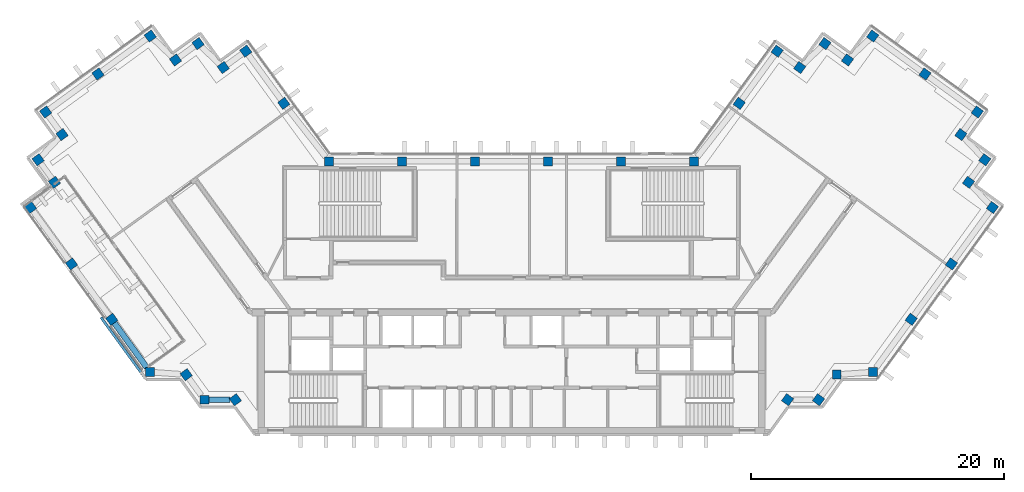
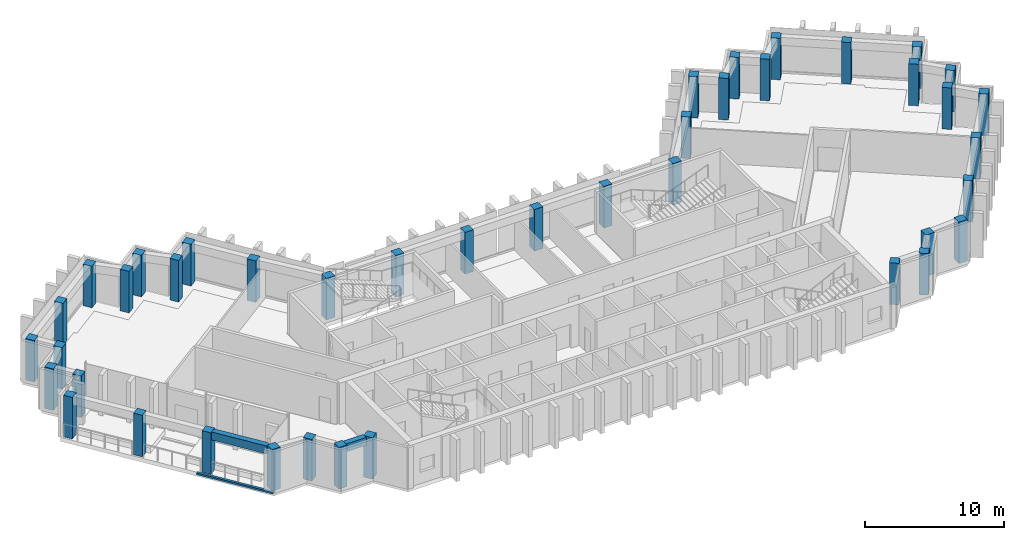
"""IFC4 building model written with IfcOpenShell, lengths in metres."""

from ifc_helpers import new_model, si_unit, direction, frame, origin, origin_2d, place, context, subcontext, project, spatial, rectangle, extrude, material, material_profile, profile_set, type_object, element, aggregate, save


model = new_model("IFC4")

# Units and contexts
model_context = context("Model", 3, precision=1e-05, world=origin(), true_north=direction((0.0, 1.0)))
body_context = subcontext(model_context, "Body", "Model", "MODEL_VIEW")
ifc_project = project(units=[si_unit("LENGTHUNIT", "METRE"), si_unit("AREAUNIT", "SQUARE_METRE"), si_unit("VOLUMEUNIT", "CUBIC_METRE"), si_unit("PLANEANGLEUNIT", "RADIAN"), si_unit("MASSUNIT", "GRAM", prefix="KILO")], contexts=[model_context])

# Site, building, storey
site_placement = place(None, origin())
site = spatial("IfcSite", under=ifc_project, at=site_placement, CompositionType="ELEMENT")
building_placement = place(site_placement, origin())
building = spatial("IfcBuilding", under=site, at=building_placement, Name="Quipu Civic Tower", CompositionType="ELEMENT")
storey_1_placement = place(building_placement, frame((0.0, 0.0, 261.0)))
storey_1 = spatial("IfcBuildingStorey", under=building, at=storey_1_placement, Name="L61", CompositionType="ELEMENT", Elevation=261.0)

# Columns
ifc_material_1 = material(Name="Concrete C50/60", Category="concrete")
ifc_material_profile_1 = material_profile(ifc_material_1, rectangle(XDim=0.699951171875, YDim=0.699951171875, at=origin_2d()), Name="RC700x700")
ifc_profile_set_1 = profile_set([ifc_material_profile_1], Name="Concrete C50/60")
column_type = type_object("IfcColumnType", Name="Perimeter column RC 700x700 C50/60", PredefinedType="COLUMN", material=ifc_profile_set_1)
for number, where, z_axis, x_axis, name in (
    (1, (-17.9736328125, 15.074951171875, 0.0), (0.0, 0.0, 1.0), (-0.587785252292, 0.809016994375, 0.0), "Column L61 W-IN-01"),
    (2, (-20.969970703125, 19.195068359375, 0.0), (0.0, 0.0, 1.0), (-0.587785252292, 0.809016994375, 0.0), "Column L61 T-Wi.0-W22"),
    (3, (-22.749267578125, 17.904296875, 0.0), (0.0, 0.0, 1.0), (-0.587785252292, 0.809016994375, 0.0), "Column L61 T-Wi.1-W22"),
    (4, (-24.739990234375, 19.794921875, 0.0), (0.0, 0.0, 1.0), (-0.587785252292, 0.809016994375, 0.0), "Column L61 T-Wi.2-W22"),
    (5, (-26.51904296875, 18.50048828125, 0.0), (0.0, 0.0, 1.0), (-0.587785252292, 0.809016994375, 0.0), "Column L61 T-Wi.3-W22"),
    (6, (-28.510009765625, 20.389892578125, 0.0), (0.0, 0.0, 1.0), (-0.809016994375, -0.587785252292, 0.0), "Column L61 T-Wi.4-W22"),
    (7, (-32.636962890625, 17.39306640625, 0.0), (0.0, 0.0, 1.0), (-0.809016994375, -0.587785252292, 0.0), "Column L61 TIP-W-01-W22"),
    (8, (-36.764892578125, 14.39501953125, 0.0), (0.0, 0.0, 1.0), (0.587785252292, -0.809016994375, 0.0), "Column L61 T-Wo.0-W22"),
    (9, (-35.470703125, 12.616455078125, 0.0), (0.0, 0.0, 1.0), (-0.809016994375, -0.587785252292, 0.0), "Column L61 T-Wo.1-W22"),
    (10, (-37.360107421875, 10.625, 0.0), (0.0, 0.0, 1.0), (0.587785252292, -0.809016994375, 0.0), "Column L61 T-Wo.2-W22"),
    (11, (-36.068115234375, 8.843994140625, 0.0), (0.0, 0.0, 1.0), (0.587785252292, -0.809016994375, 0.0), "Column L61 T-Wo.3-W22"),
    (12, (-37.9599609375, 6.85498046875, 0.0), (0.0, 0.0, 1.0), (0.587785252292, -0.809016994375, 0.0), "Column L61 T-Wo.4-W22"),
    (13, (-34.722412109375, 2.39990234375, 0.0), (0.0, 0.0, 1.0), (0.587785252292, -0.809016994375, 0.0), "Column L61 W-OUT-02"),
    (14, (-31.54833984375, -1.96875, 0.0), (0.0, 0.0, 1.0), (0.587785252292, -0.809016994375, 0.0), "Column L61 W-OUT-01"),
    (15, (-28.52490234375, -6.1298828125, 0.0), (0.0, 0.0, 1.0), (1.0, 0.0, 0.0), "Column L61 J-Wo.0"),
    (16, (-25.67431640625, -6.3369140625, 0.0), (0.0, 0.0, 1.0), (0.587785252292, -0.809016994375, 0.0), "Column L61 J-Wo.1"),
    (17, (-24.235107421875, -8.31494140625, 0.0), (0.0, 0.0, 1.0), (1.0, 0.0, 0.0), "Column L61 J-Wo.2"),
    (18, (-21.791748046875, -8.31494140625, 0.0), (0.0, 0.0, 1.0), (0.587785252292, -0.809016994375, 0.0), "Column L61 J-Wo.3"),
    (19, (21.791748046875, -8.31494140625, 0.0), (0.0, 0.0, 1.0), (0.587785252292, 0.809016994375, 0.0), "Column L61 J-Eo.1"),
    (20, (24.235107421875, -8.31494140625, 0.0), (0.0, 0.0, 1.0), (0.587785252292, 0.809016994375, 0.0), "Column L61 J-Eo.2"),
    (21, (25.67431640625, -6.3369140625, 0.0), (0.0, 0.0, 1.0), (1.0, 0.0, 0.0), "Column L61 J-Eo.3"),
    (22, (28.52490234375, -6.1298828125, 0.0), (0.0, 0.0, 1.0), (1.0, 0.0, 0.0), "Column L61 J-Eo.4"),
    (23, (31.54833984375, -1.96875, 0.0), (0.0, 0.0, 1.0), (0.587785252292, 0.809016994375, 0.0), "Column L61 E-OUT-01"),
    (24, (34.722412109375, 2.39990234375, 0.0), (0.0, 0.0, 1.0), (0.587785252292, 0.809016994375, 0.0), "Column L61 E-OUT-02"),
    (25, (37.9599609375, 6.85498046875, 0.0), (0.0, 0.0, 1.0), (0.587785252292, 0.809016994375, 0.0), "Column L61 T-Eo.0-E22"),
    (26, (36.068115234375, 8.843994140625, 0.0), (0.0, 0.0, 1.0), (0.587785252292, 0.809016994375, 0.0), "Column L61 T-Eo.1-E22"),
    (27, (37.360107421875, 10.625, 0.0), (0.0, 0.0, 1.0), (0.587785252292, 0.809016994375, 0.0), "Column L61 T-Eo.2-E22"),
    (28, (35.470703125, 12.616455078125, 0.0), (0.0, 0.0, 1.0), (-0.809016994375, 0.587785252292, 0.0), "Column L61 T-Eo.3-E22"),
    (29, (36.764892578125, 14.39501953125, 0.0), (0.0, 0.0, 1.0), (-0.809016994375, 0.587785252292, 0.0), "Column L61 T-Eo.4-E22"),
    (30, (32.636962890625, 17.39306640625, 0.0), (0.0, 0.0, 1.0), (-0.809016994375, 0.587785252292, 0.0), "Column L61 TIP-E-01-E22"),
    (31, (28.510009765625, 20.389892578125, 0.0), (0.0, 0.0, 1.0), (-0.587785252292, -0.809016994375, 0.0), "Column L61 T-Ei.0-E22"),
    (32, (26.51904296875, 18.50048828125, 0.0), (0.0, 0.0, 1.0), (-0.809016994375, 0.587785252292, 0.0), "Column L61 T-Ei.1-E22"),
    (33, (24.739990234375, 19.794921875, 0.0), (0.0, 0.0, 1.0), (-0.587785252292, -0.809016994375, 0.0), "Column L61 T-Ei.2-E22"),
    (34, (22.749267578125, 17.904296875, 0.0), (0.0, 0.0, 1.0), (-0.587785252292, -0.809016994375, 0.0), "Column L61 T-Ei.3-E22"),
    (35, (20.969970703125, 19.195068359375, 0.0), (0.0, 0.0, 1.0), (-0.587785252292, -0.809016994375, 0.0), "Column L61 T-Ei.4-E22"),
    (36, (17.9736328125, 15.074951171875, 0.0), (0.0, 0.0, 1.0), (-0.587785252292, -0.809016994375, 0.0), "Column L61 E-IN-01"),
    (37, (14.395263671875, 10.5, 0.0), (0.0, 0.0, 1.0), (-1.0, 0.0, 0.0), "Column L61 J-Ei.0"),
    (38, (8.63720703125, 10.5, 0.0), (0.0, 0.0, 1.0), (-1.0, 0.0, 0.0), "Column L61 FRONT-01"),
    (39, (2.87890625, 10.5, 0.0), (0.0, 0.0, 1.0), (-1.0, 0.0, 0.0), "Column L61 FRONT-02"),
    (40, (-2.87890625, 10.5, 0.0), (0.0, 0.0, 1.0), (-1.0, 0.0, 0.0), "Column L61 FRONT-03"),
    (41, (-8.63720703125, 10.5, 0.0), (0.0, 0.0, 1.0), (-1.0, 0.0, 0.0), "Column L61 FRONT-04"),
    (42, (-14.395263671875, 10.5, 0.0), (0.0, 0.0, 1.0), (-1.0, 0.0, 0.0), "Column L61 J-Wi.0"),
):
    element("IfcColumn", number, at=place(storey_1_placement, frame(where, z_axis=z_axis, x_axis=x_axis)), inside=storey_1, type_object=column_type, Name=name, PredefinedType="COLUMN", context=body_context, shape_type="SweptSolid", body=[
        extrude(rectangle(XDim=0.699951171875, YDim=0.699951171875, at=origin_2d()), origin(), (0.0, 0.0, 1.0), 3.64990234375),
    ])

# Beams
ifc_material_2 = material(Name="Concrete C50/60", Category="concrete")
ifc_material_profile_2 = material_profile(ifc_material_2, rectangle(XDim=0.449951171875, YDim=0.699951171875, at=origin_2d()), Name="RC450x700")
ifc_profile_set_2 = profile_set([ifc_material_profile_2], Name="Concrete C50/60")
beam_type = type_object("IfcBeamType", Name="Spandrel beam RC 450x700 C50/60", PredefinedType="SPANDREL", material=ifc_profile_set_2)
beam_1_placement = place(storey_1_placement, frame((-31.342529296875, -2.251953125, 3.300048828125), z_axis=(0.58777550284, -0.809024077677, 0.0), x_axis=(0.809024077677, 0.58777550284, 0.0)))
element("IfcBeam", 43, at=beam_1_placement, inside=storey_1, type_object=beam_type, Name="Spandrel beam L61 W-OUT-01 to J-Wo.0", PredefinedType="SPANDREL", context=body_context, shape_type="SweptSolid", body=[
    extrude(rectangle(XDim=0.449951171875, YDim=0.699951171875, at=origin_2d()), origin(), (0.0, 0.0, 1.0), 4.36083984375),
])
beam_2_placement = place(storey_1_placement, frame((-23.885009765625, -8.31494140625, 3.300048828125), z_axis=(1.0, 0.0, 0.0), x_axis=(0.0, 1.0, 0.0)))
element("IfcBeam", 44, at=beam_2_placement, inside=storey_1, type_object=beam_type, Name="Spandrel beam L61 J-Wo.2 to J-Wo.3", PredefinedType="SPANDREL", context=body_context, shape_type="SweptSolid", body=[
    extrude(rectangle(XDim=0.449951171875, YDim=0.699951171875, at=origin_2d()), origin(), (0.0, 0.0, 1.0), 1.66064453125),
])

# Storey
storey_2_placement = place(building_placement, frame((0.0, 0.0, 257.0)))
storey_2 = spatial("IfcBuildingStorey", under=building, at=storey_2_placement, Name="L60", CompositionType="ELEMENT", Elevation=257.0)

# Curtain wall, member
ifc_material_3 = material(Name="Insulated glass unit", Category="glass")
curtain_wall_type = type_object("IfcCurtainWallType", Name="Office curtain wall CW1", PredefinedType="NOTDEFINED", material=ifc_material_3)
curtain_wall_placement = place(storey_2_placement, origin())
curtain_wall = element("IfcCurtainWall", 45, at=curtain_wall_placement, inside=storey_2, type_object=curtain_wall_type, Name="Office curtain wall CW1 L60 run 7", PredefinedType="NOTDEFINED")
ifc_material_4 = material(Name="Anodised aluminium", Category="aluminium")
ifc_material_profile_3 = material_profile(ifc_material_4, rectangle(XDim=0.199951171875, YDim=0.159912109375, at=origin_2d()), Name="RECT 200x160")
ifc_profile_set_3 = profile_set([ifc_material_profile_3], Name="Anodised aluminium")
member_type = type_object("IfcMemberType", Name="Transom CW1", PredefinedType="USERDEFINED", material=ifc_profile_set_3)
member_placement = place(storey_1_placement, frame((-32.40087890625, -1.81591796875, 0.0), z_axis=(0.587786666238, -0.809015967081, 0.0), x_axis=(0.809015967081, 0.587786666238, 0.0)))
member = element("IfcMember", 46, at=member_placement, inside=storey_1, type_object=member_type, Name="CW1 transom 1.2", ObjectType="TRANSOM", PredefinedType="USERDEFINED", context=body_context, shape_type="SweptSolid", body=[
    extrude(rectangle(XDim=0.199951171875, YDim=0.159912109375, at=origin_2d()), origin(), (0.0, 0.0, 1.0), 5.99560546875),
])
aggregate(curtain_wall, [member])

save(model, "model.ifc")
